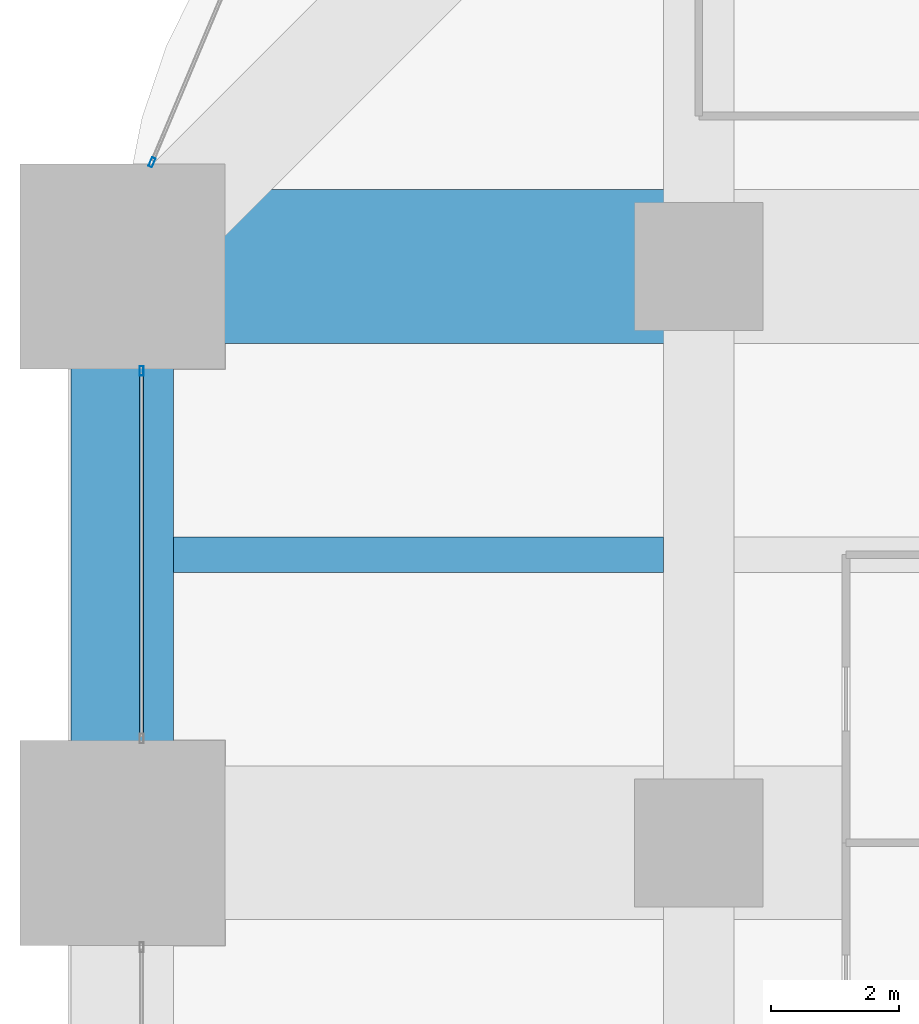
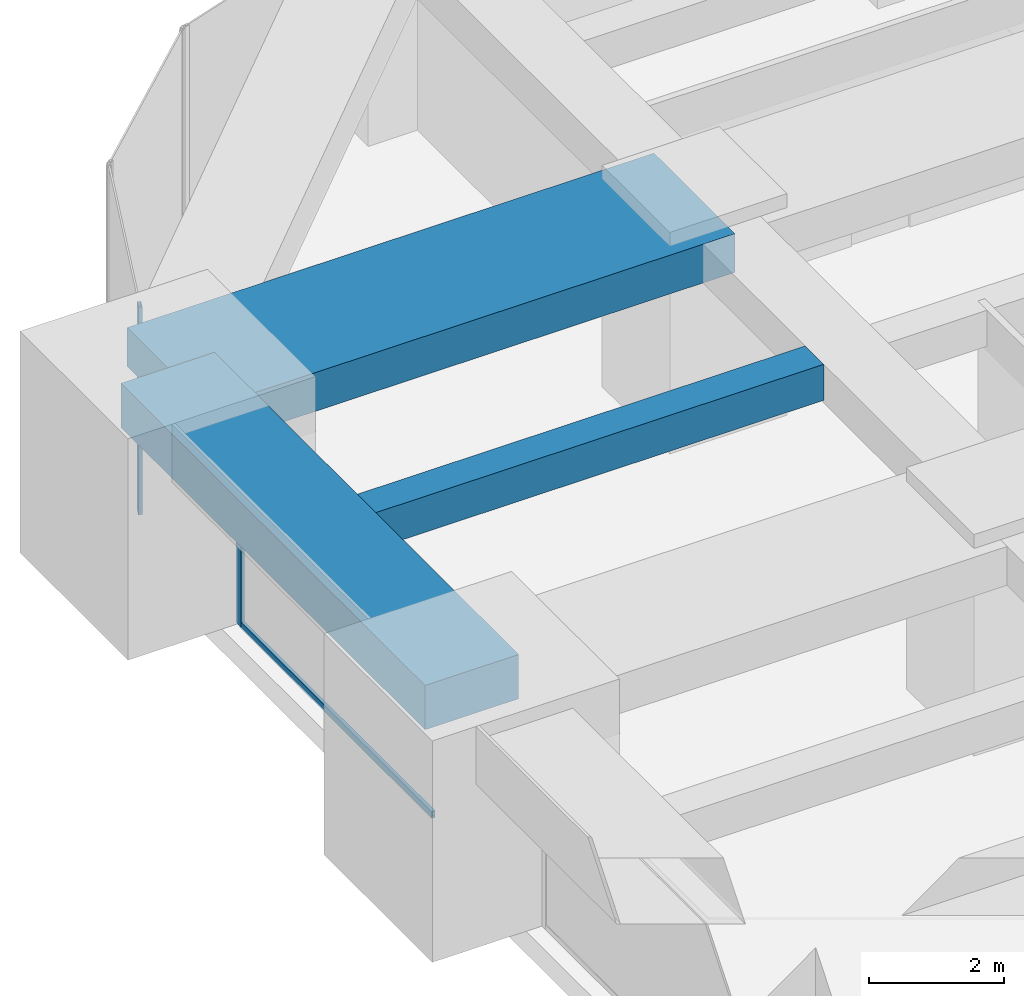
# One storey, part 20 of 35: 3 beams, 3 members, 2 elements without a shape of their own.
"""IFC4 building model written with IfcOpenShell, lengths in metres."""

from ifc_helpers import new_model, si_unit, direction, frame, origin, origin_2d, place, context, subcontext, project, spatial, rectangle, hollow_rectangle, extrude, material, material_profile, profile_set, type_object, element, aggregate, save


model = new_model("IFC4")

# Units and contexts
model_context = context("Model", 3, precision=1e-05, world=origin(), true_north=direction((0.0, 1.0)))
body_context = subcontext(model_context, "Body", "Model", "MODEL_VIEW")
ifc_project = project(units=[si_unit("LENGTHUNIT", "METRE"), si_unit("AREAUNIT", "SQUARE_METRE"), si_unit("VOLUMEUNIT", "CUBIC_METRE"), si_unit("PLANEANGLEUNIT", "RADIAN"), si_unit("MASSUNIT", "GRAM", prefix="KILO")], contexts=[model_context])

# Site, building, storey
site_placement = place(None, origin())
site = spatial("IfcSite", under=ifc_project, at=site_placement, CompositionType="ELEMENT")
building_placement = place(site_placement, origin())
building = spatial("IfcBuilding", under=site, at=building_placement, Name="Zorevar Civic Tower", CompositionType="ELEMENT")
storey_placement = place(building_placement, frame((0.0, 0.0, 162.199951171875)))
storey = spatial("IfcBuildingStorey", under=building, at=storey_placement, Name="L39", CompositionType="ELEMENT", Elevation=162.199951171875)

# Beams
ifc_material_1 = material(Name="Concrete C50/60", Category="concrete")
ifc_material_profile_1 = material_profile(ifc_material_1, rectangle(XDim=2.39990234375, YDim=0.699951171875, at=origin_2d()), Name="RC 2400x700")
ifc_profile_set_1 = profile_set([ifc_material_profile_1], Name="Concrete C50/60")
beam_type_1 = type_object("IfcBeamType", Name="Beam RC 2400x700", PredefinedType="BEAM", material=ifc_profile_set_1)
beam_1_placement = place(storey_placement, frame((0.0, 36.0, 3.400146484375), z_axis=(1.0, 0.0, 0.0), x_axis=(0.0, 1.0, 0.0)))
element("IfcBeam", 1, at=beam_1_placement, inside=storey, type_object=beam_type_1, Name="Girder L40", PredefinedType="BEAM", context=body_context, shape_type="SweptSolid", body=[
    extrude(rectangle(XDim=2.39990234375, YDim=0.699951171875, at=origin_2d()), origin(), (0.0, 0.0, 1.0), 9.0),
])
ifc_material_2 = material(Name="Concrete C50/60", Category="concrete")
ifc_material_profile_2 = material_profile(ifc_material_2, rectangle(XDim=0.550048828125, YDim=0.64990234375, at=origin_2d()), Name="RC 550x650")
ifc_profile_set_2 = profile_set([ifc_material_profile_2], Name="Concrete C50/60")
beam_type_2 = type_object("IfcBeamType", Name="Beam RC 550x650", PredefinedType="BEAM", material=ifc_profile_set_2)
beam_2_placement = place(storey_placement, frame((0.800048828125, 31.5, 3.425048828125), z_axis=(1.0, 0.0, 0.0), x_axis=(0.0, 1.0, 0.0)))
element("IfcBeam", 2, at=beam_2_placement, inside=storey, type_object=beam_type_2, Name="Secondary beam L40", PredefinedType="BEAM", context=body_context, shape_type="SweptSolid", body=[
    extrude(rectangle(XDim=0.550048828125, YDim=0.64990234375, at=origin_2d()), origin(), (0.0, 0.0, 1.0), 7.64990234375),
])

# Curtain wall, member
ifc_material_3 = material(Name="Dark grey solar-control glass in black aluminium frame", Category="aluminium")
curtain_wall_type = type_object("IfcCurtainWallType", Name="Curtain wall CW4 high zone", PredefinedType="NOTDEFINED", material=ifc_material_3)
curtain_wall_1_placement = place(storey_placement, origin())
curtain_wall_1 = element("IfcCurtainWall", 3, at=curtain_wall_1_placement, inside=storey, type_object=curtain_wall_type, Name="CW4 L39", PredefinedType="NOTDEFINED")
ifc_material_4 = material(Name="Aluminium, black anodised", Category="aluminium")
ifc_material_profile_3 = material_profile(ifc_material_4, hollow_rectangle(XDim=0.06005859375, YDim=0.14990234375, WallThickness=0.00390625, at=origin_2d()), Name="AL 150x60x4")
ifc_profile_set_3 = profile_set([ifc_material_profile_3], Name="Aluminium, black anodised")
member_type_1 = type_object("IfcMemberType", Name="CW4 mullion AL 150x60x4", PredefinedType="MULLION", material=ifc_profile_set_3)
member_1_placement = place(storey_placement, frame((0.300048828125, 34.3701171875, 0.0), z_axis=(0.0, 0.0, 1.0), x_axis=(-1.0, 0.0, 0.0)))
member_1 = element("IfcMember", 4, at=member_1_placement, type_object=member_type_1, Name="CW4 mullion 2", PredefinedType="MULLION", context=body_context, shape_type="SweptSolid", body=[
    extrude(hollow_rectangle(XDim=0.06005859375, YDim=0.14990234375, WallThickness=0.00390625, at=origin_2d()), origin(), (0.0, 0.0, 1.0), 2.949951171875),
])

curtain_wall_2_placement = place(storey_placement, origin())
curtain_wall_2 = element("IfcCurtainWall", 5, at=curtain_wall_2_placement, inside=storey, type_object=curtain_wall_type, Name="CW4 L39", PredefinedType="NOTDEFINED")
member_2_placement = place(storey_placement, frame((0.460205078125, 37.627685546875, 0.0), z_axis=(0.0, 0.0, 1.0), x_axis=(0.921581744025, -0.388184349349, 0.0)))
member_2 = element("IfcMember", 6, at=member_2_placement, type_object=member_type_1, Name="CW4 mullion 2", PredefinedType="MULLION", context=body_context, shape_type="SweptSolid", body=[
    extrude(hollow_rectangle(XDim=0.06005859375, YDim=0.14990234375, WallThickness=0.00390625, at=origin_2d()), origin(), (0.0, 0.0, 1.0), 3.75),
])
aggregate(curtain_wall_2, [member_2])

# Member
ifc_material_5 = material(Name="Aluminium, black anodised", Category="aluminium")
ifc_material_profile_4 = material_profile(ifc_material_5, hollow_rectangle(XDim=0.06005859375, YDim=0.1201171875, WallThickness=0.0029296875, at=origin_2d()), Name="AL 120x60x3")
ifc_profile_set_4 = profile_set([ifc_material_profile_4], Name="Aluminium, black anodised")
member_type_2 = type_object("IfcMemberType", Name="CW4 transom AL 120x60x3", PredefinedType="USERDEFINED", material=ifc_profile_set_4)
member_3_placement = place(storey_placement, frame((0.300048828125, 28.659912109375, 0.030029296875), z_axis=(0.0, 1.0, 0.0), x_axis=(-1.0, 0.0, 0.0)))
member_3 = element("IfcMember", 7, at=member_3_placement, type_object=member_type_2, Name="CW4 sill transom", ObjectType="TRANSOM", PredefinedType="USERDEFINED", context=body_context, shape_type="SweptSolid", body=[
    extrude(hollow_rectangle(XDim=0.06005859375, YDim=0.1201171875, WallThickness=0.0029296875, at=origin_2d()), origin(), (0.0, 0.0, 1.0), 5.68017578125),
])

aggregate(curtain_wall_1, [member_1, member_3])

# Beam
ifc_material_6 = material(Name="Concrete C50/60", Category="concrete")
ifc_material_profile_5 = material_profile(ifc_material_6, rectangle(XDim=1.60009765625, YDim=0.800048828125, at=origin_2d()), Name="RC 1600x800")
ifc_profile_set_5 = profile_set([ifc_material_profile_5], Name="Concrete C50/60")
beam_type_3 = type_object("IfcBeamType", Name="Edge beam RC 1600x800", PredefinedType="SPANDREL", material=ifc_profile_set_5)
beam_3_placement = place(storey_placement, frame((0.0, 27.0, 3.35009765625), z_axis=(0.0, 1.0, 0.0), x_axis=(-1.0, 0.0, 0.0)))
element("IfcBeam", 8, at=beam_3_placement, inside=storey, type_object=beam_type_3, Name="Edge beam L40", PredefinedType="SPANDREL", context=body_context, shape_type="SweptSolid", body=[
    extrude(rectangle(XDim=1.60009765625, YDim=0.800048828125, at=origin_2d()), origin(), (0.0, 0.0, 1.0), 9.0),
])

save(model, "model.ifc")
